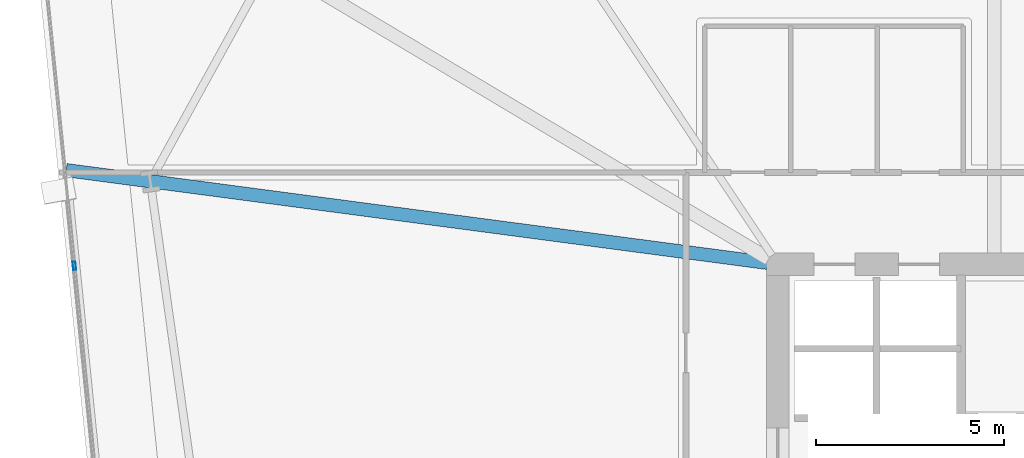
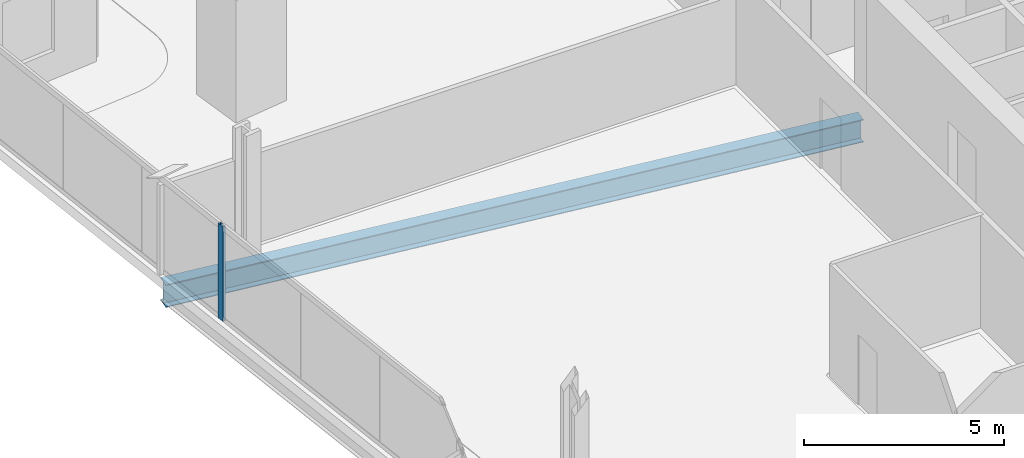
# One storey, part 14 of 33: 1 beam, 1 member, 1 element without a shape of its own.
"""IFC4 building model written with IfcOpenShell, lengths in metres."""

from ifc_helpers import new_model, si_unit, direction, frame, origin, origin_2d, place, context, subcontext, project, spatial, hollow_rectangle, i_section, extrude, material, material_profile, profile_set, type_object, element, aggregate, save


model = new_model("IFC4")

# Units and contexts
model_context = context("Model", 3, precision=1e-05, world=origin(), true_north=direction((0.0, 1.0)))
body_context = subcontext(model_context, "Body", "Model", "MODEL_VIEW")
ifc_project = project(units=[si_unit("LENGTHUNIT", "METRE"), si_unit("AREAUNIT", "SQUARE_METRE"), si_unit("VOLUMEUNIT", "CUBIC_METRE"), si_unit("PLANEANGLEUNIT", "RADIAN"), si_unit("MASSUNIT", "GRAM", prefix="KILO")], contexts=[model_context])

# Site, building, storey
site_placement = place(None, origin())
site = spatial("IfcSite", under=ifc_project, at=site_placement, CompositionType="ELEMENT")
building_placement = place(site_placement, origin())
building = spatial("IfcBuilding", under=site, at=building_placement, Name="Haldenkirk Collegiate Tower", CompositionType="ELEMENT")
storey_placement = place(building_placement, frame((0.0, 0.0, 47.699951171875)))
storey = spatial("IfcBuildingStorey", under=building, at=storey_placement, Name="L10", CompositionType="ELEMENT", Elevation=47.699951171875)

# Beam
ifc_material_1 = material(Name="Steel ASTM A992 Grade 50", Category="steel")
ifc_material_profile_1 = material_profile(ifc_material_1, i_section(OverallWidth=0.35498046875, OverallDepth=0.696044921875, WebThickness=0.015380859375, FlangeThickness=0.02490234375, at=origin_2d()), Name="W27X146")
ifc_profile_set_1 = profile_set([ifc_material_profile_1], Name="Steel ASTM A992 Grade 50")
beam_type = type_object("IfcBeamType", Name="BM-GIRDER-W27X146", PredefinedType="BEAM", material=ifc_profile_set_1)
beam_placement = place(storey_placement, frame((8.0263671875, 36.50927734375, -0.657958984375), z_axis=(0.991367316423, -0.131113858639, 0.0), x_axis=(0.131113858639, 0.991367316423, 0.0)))
element("IfcBeam", 1, at=beam_placement, inside=storey, type_object=beam_type, Name="L10 primary floor girder 14", PredefinedType="BEAM", context=body_context, shape_type="SweptSolid", body=[
    extrude(i_section(OverallWidth=0.35498046875, OverallDepth=0.696044921875, WebThickness=0.015380859375, FlangeThickness=0.02490234375, at=origin_2d()), origin(), (0.0, 0.0, 1.0), 18.85888671875),
])

# Curtain wall, member
ifc_material_2 = material(Name="Anodised architectural bronze aluminium", Category="aluminium")
curtain_wall_type = type_object("IfcCurtainWallType", Name="CW-SYS1-CONVEX-LOW", PredefinedType="USERDEFINED", material=ifc_material_2)
curtain_wall_placement = place(storey_placement, origin())
curtain_wall = element("IfcCurtainWall", 2, at=curtain_wall_placement, inside=storey, type_object=curtain_wall_type, Name="L10 Lower tower convex bronze-framed unitised curtain wall", ObjectType="UNITISED CURTAIN WALL", PredefinedType="USERDEFINED")
ifc_material_profile_2 = material_profile(ifc_material_2, hollow_rectangle(XDim=0.080078125, YDim=0.219970703125, WallThickness=0.0048828125, at=origin_2d()), Name="CW-MUL-1A")
ifc_profile_set_2 = profile_set([ifc_material_profile_2], Name="Anodised architectural bronze aluminium")
member_type = type_object("IfcMemberType", Name="CW-MUL-1A", PredefinedType="MULLION", material=ifc_profile_set_2)
member_placement = place(storey_placement, frame((8.242919921875, 33.958984375, 0.0), z_axis=(0.0, 0.0, 1.0), x_axis=(-0.994968667969, -0.100186574745, 0.0)))
member = element("IfcMember", 3, at=member_placement, type_object=member_type, Name="CW-1A mullion 4", PredefinedType="MULLION", context=body_context, shape_type="SweptSolid", body=[
    extrude(hollow_rectangle(XDim=0.080078125, YDim=0.219970703125, WallThickness=0.0048828125, at=origin_2d()), origin(), (0.0, 0.0, 1.0), 2.89111328125),
])
aggregate(curtain_wall, [member])

save(model, "model.ifc")
